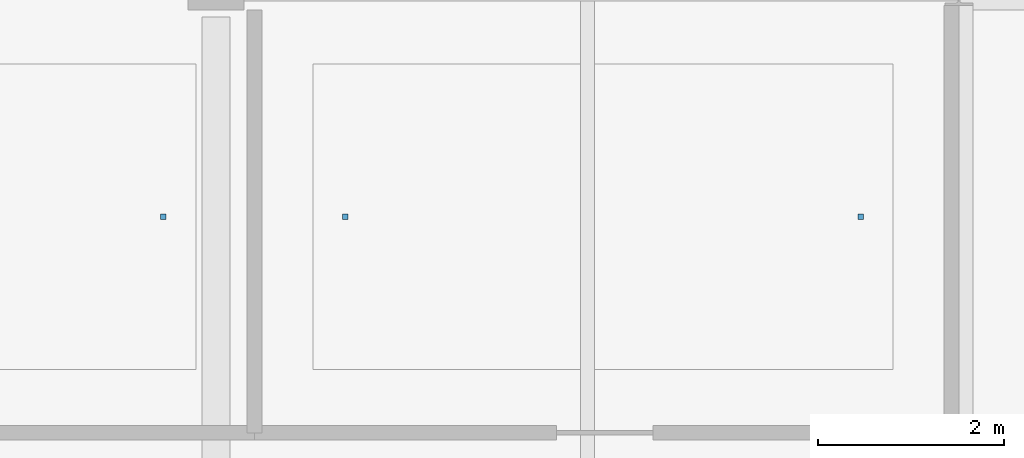
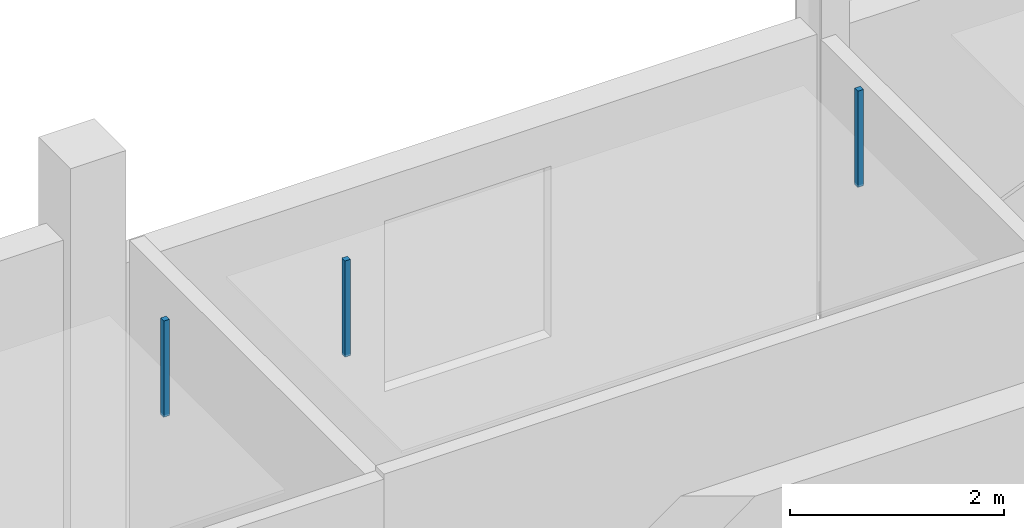
# One storey, part 102 of 147: 3 discrete accessories.
"""IFC4 building model written with IfcOpenShell, lengths in metres."""

from ifc_helpers import new_model, si_unit, direction, frame, origin, origin_2d, place, context, subcontext, project, spatial, rectangle, extrude, material, type_object, element, save


model = new_model("IFC4")

# Units and contexts
model_context = context("Model", 3, precision=1e-05, world=origin(), true_north=direction((0.0, 1.0)))
body_context = subcontext(model_context, "Body", "Model", "MODEL_VIEW")
ifc_project = project(units=[si_unit("LENGTHUNIT", "METRE"), si_unit("AREAUNIT", "SQUARE_METRE"), si_unit("VOLUMEUNIT", "CUBIC_METRE"), si_unit("PLANEANGLEUNIT", "RADIAN"), si_unit("MASSUNIT", "GRAM", prefix="KILO")], contexts=[model_context])

# Site, building, storey
site_placement = place(None, origin())
site = spatial("IfcSite", under=ifc_project, at=site_placement, CompositionType="ELEMENT")
building_placement = place(site_placement, origin())
building = spatial("IfcBuilding", under=site, at=building_placement, Name="Khelvaren Railside Concert Hall", CompositionType="ELEMENT")
storey_placement = place(building_placement, frame((0.0, 0.0, 5.39990234375)))
storey = spatial("IfcBuildingStorey", under=building, at=storey_placement, Name="L01", CompositionType="ELEMENT", Elevation=5.39990234375)

# Discrete accessories
ifc_material = material(Name="Galvanised steel acoustic ceiling hanger rod", Category="steel")
discrete_accessory_type = type_object("IfcDiscreteAccessoryType", Name="BRK62", PredefinedType="BRACKET", material=ifc_material)
for number, where, z_axis, x_axis, name in (
    (1, (31.43408203125, 43.074951171875, 3.429931640625), (0.0, 0.0, 1.0), (1.0, 0.0, 0.0), "Acoustic Ceiling Suspension Bracket 18-2"),
    (2, (33.39404296875, 43.074951171875, 3.429931640625), (0.0, 0.0, 1.0), (1.0, 0.0, 0.0), "Acoustic Ceiling Suspension Bracket 19-1"),
    (3, (38.93994140625, 43.074951171875, 3.429931640625), (0.0, 0.0, 1.0), (1.0, 0.0, 0.0), "Acoustic Ceiling Suspension Bracket 19-2"),
):
    element("IfcDiscreteAccessory", number, at=place(storey_placement, frame(where, z_axis=z_axis, x_axis=x_axis)), inside=storey, type_object=discrete_accessory_type, Name=name, PredefinedType="BRACKET", context=body_context, shape_type="SweptSolid", body=[
        extrude(rectangle(XDim=0.06005859375, YDim=0.06005859375, at=origin_2d()), origin(), (0.0, 0.0, 1.0), 1.10009765625),
    ])

save(model, "model.ifc")
